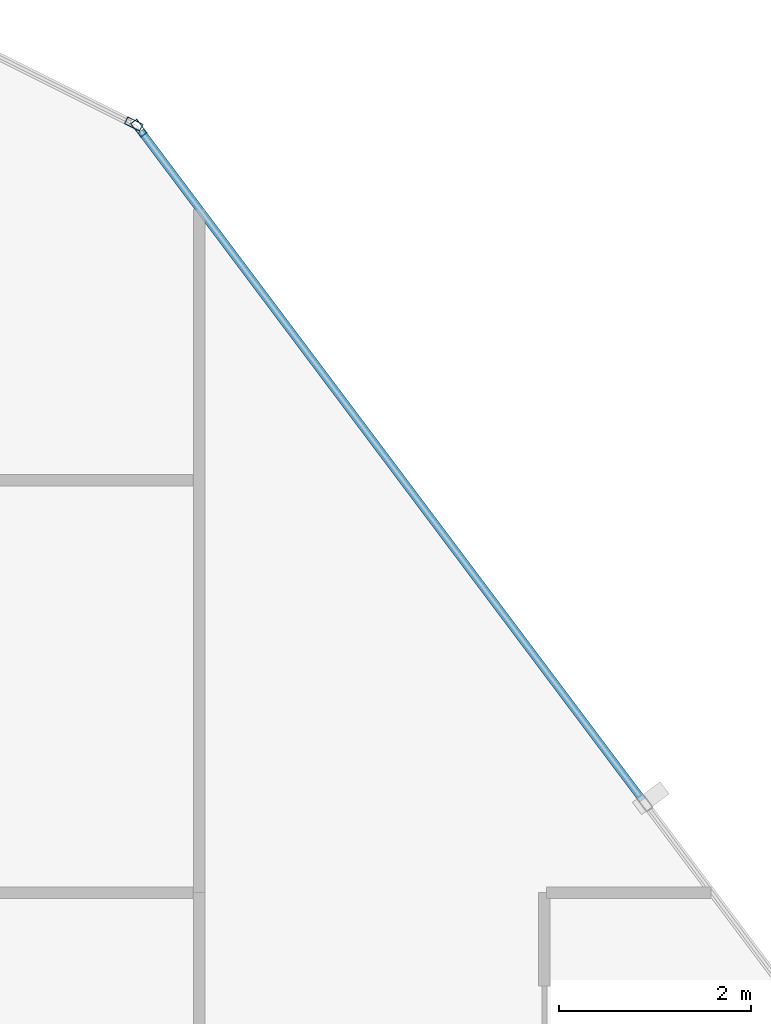
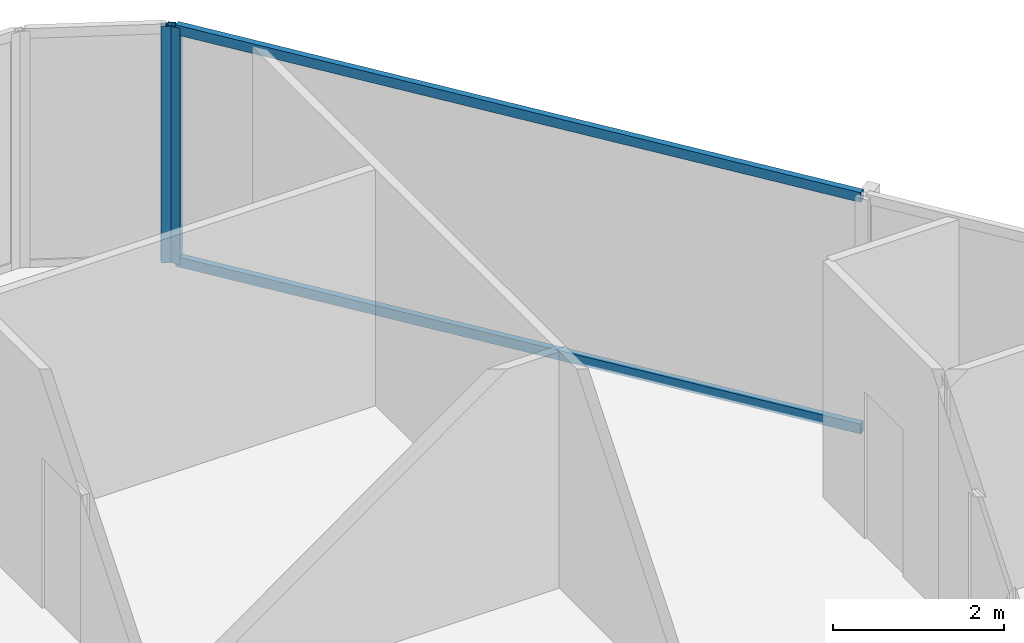
# One storey, part 21 of 30: 4 members, 2 elements without a shape of their own.
"""IFC4 building model written with IfcOpenShell, lengths in metres."""

from ifc_helpers import new_model, si_unit, direction, frame, origin, origin_2d, place, context, subcontext, project, spatial, hollow_rectangle, extrude, material, layer, layer_set, material_profile, profile_set, type_object, element, aggregate, save


model = new_model("IFC4")

# Units and contexts
model_context = context("Model", 3, precision=1e-05, world=origin(), true_north=direction((0.0, 1.0)))
body_context = subcontext(model_context, "Body", "Model", "MODEL_VIEW")
ifc_project = project(units=[si_unit("LENGTHUNIT", "METRE"), si_unit("AREAUNIT", "SQUARE_METRE"), si_unit("VOLUMEUNIT", "CUBIC_METRE"), si_unit("PLANEANGLEUNIT", "RADIAN"), si_unit("MASSUNIT", "GRAM", prefix="KILO")], contexts=[model_context])

# Site, building, storey
site_placement = place(None, origin())
site = spatial("IfcSite", under=ifc_project, at=site_placement, CompositionType="ELEMENT")
building_placement = place(site_placement, origin())
building = spatial("IfcBuilding", under=site, at=building_placement, Name="Keshet Zoharim Tower", CompositionType="ELEMENT")
storey_placement = place(building_placement, frame((0.0, 0.0, 116.800048828125)))
storey = spatial("IfcBuildingStorey", under=building, at=storey_placement, Name="L28", CompositionType="ELEMENT", Elevation=116.800048828125)

# Curtain wall, member
ifc_material = material(Name="Aluminium 6063-T6", Category="aluminium")
ifc_layer = layer(ifc_material, 0.159912109375)
ifc_layer_set = layer_set([ifc_layer], Name="Aluminium 6063-T6")
curtain_wall_type = type_object("IfcCurtainWallType", Name="CW-SYS-03", PredefinedType="NOTDEFINED", material=ifc_layer_set)
curtain_wall_1_placement = place(storey_placement, origin())
curtain_wall_1 = element("IfcCurtainWall", 1, at=curtain_wall_1_placement, inside=storey, type_object=curtain_wall_type, Name="L28 Unitised Curtain Wall 14", PredefinedType="NOTDEFINED")
ifc_material_profile_1 = material_profile(ifc_material, hollow_rectangle(XDim=0.080078125, YDim=0.179931640625, WallThickness=0.00439453125, at=origin_2d()), Name="MUL-80x180")
ifc_profile_set_1 = profile_set([ifc_material_profile_1], Name="Aluminium 6063-T6")
member_type_1 = type_object("IfcMemberType", Name="CWM-M18", PredefinedType="MULLION", material=ifc_profile_set_1)
member_1_placement = place(storey_placement, frame((51.568603515625, 53.11572265625, 0.0), z_axis=(0.0, 0.0, 1.0), x_axis=(0.447213595499, 0.894427191001, 0.0)))
member_1 = element("IfcMember", 2, at=member_1_placement, type_object=member_type_1, Name="CW-03 mullion 2", PredefinedType="MULLION", context=body_context, shape_type="SweptSolid", body=[
    extrude(hollow_rectangle(XDim=0.080078125, YDim=0.179931640625, WallThickness=0.00439453125, at=origin_2d()), origin(), (0.0, 0.0, 1.0), 3.3798828125),
])
aggregate(curtain_wall_1, [member_1])

# Curtain wall, members
curtain_wall_2_placement = place(storey_placement, origin())
curtain_wall_2 = element("IfcCurtainWall", 3, at=curtain_wall_2_placement, inside=storey, type_object=curtain_wall_type, Name="L28 Unitised Curtain Wall 15", PredefinedType="NOTDEFINED")
member_2_placement = place(storey_placement, frame((51.62109375, 53.072021484375, 0.0), z_axis=(0.0, 0.0, 1.0), x_axis=(0.799999999998, 0.600000000002, 0.0)))
member_2 = element("IfcMember", 4, at=member_2_placement, type_object=member_type_1, Name="CW-03 mullion 1", PredefinedType="MULLION", context=body_context, shape_type="SweptSolid", body=[
    extrude(hollow_rectangle(XDim=0.080078125, YDim=0.179931640625, WallThickness=0.00439453125, at=origin_2d()), origin(), (0.0, 0.0, 1.0), 3.3798828125),
])
ifc_material_profile_2 = material_profile(ifc_material, hollow_rectangle(XDim=0.080078125, YDim=0.139892578125, WallThickness=0.00390625, at=origin_2d()), Name="TRN-80x140")
ifc_profile_set_2 = profile_set([ifc_material_profile_2], Name="Aluminium 6063-T6")
member_type_2 = type_object("IfcMemberType", Name="CWT-T14", PredefinedType="USERDEFINED", material=ifc_profile_set_2)
member_3_placement = place(storey_placement, frame((51.64208984375, 53.0439453125, 0.034912109375), z_axis=(0.599991043201, -0.800006717521, 0.0), x_axis=(0.800006717521, 0.599991043201, 0.0)))
member_3 = element("IfcMember", 5, at=member_3_placement, type_object=member_type_2, Name="CW-03 transom 1.1", ObjectType="TRANSOM", PredefinedType="USERDEFINED", context=body_context, shape_type="SweptSolid", body=[
    extrude(hollow_rectangle(XDim=0.080078125, YDim=0.139892578125, WallThickness=0.00390625, at=origin_2d()), origin(), (0.0, 0.0, 1.0), 8.722412109375),
])
member_4_placement = place(storey_placement, frame((51.64208984375, 53.0439453125, 3.344970703125), z_axis=(0.599991043201, -0.800006717521, 0.0), x_axis=(0.800006717521, 0.599991043201, 0.0)))
member_4 = element("IfcMember", 6, at=member_4_placement, type_object=member_type_2, Name="CW-03 transom 1.2", ObjectType="TRANSOM", PredefinedType="USERDEFINED", context=body_context, shape_type="SweptSolid", body=[
    extrude(hollow_rectangle(XDim=0.080078125, YDim=0.139892578125, WallThickness=0.00390625, at=origin_2d()), origin(), (0.0, 0.0, 1.0), 8.722412109375),
])
aggregate(curtain_wall_2, [member_2, member_3, member_4])

save(model, "model.ifc")
